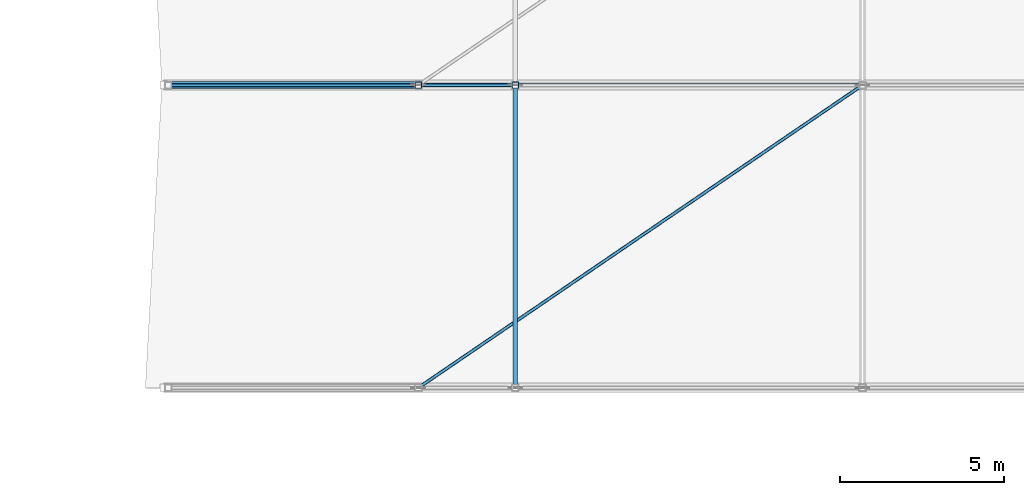
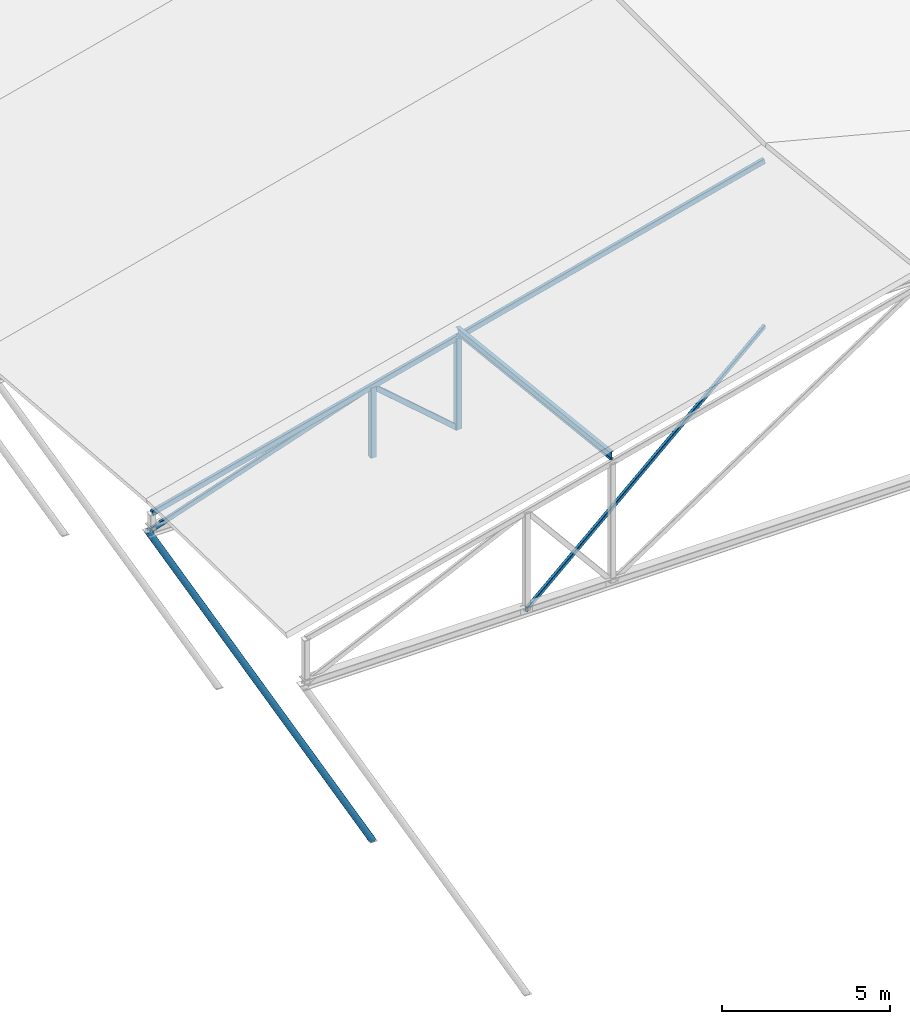
# One storey, part 11 of 56: 8 members.
"""IFC4 building model written with IfcOpenShell, lengths in metres."""

from ifc_helpers import new_model, si_unit, direction, frame, origin, origin_2d, place, context, subcontext, project, spatial, hollow_rectangle, hollow_circle, i_section, extrude, material, material_profile, profile_set, type_object, element, save


model = new_model("IFC4")

# Units and contexts
model_context = context("Model", 3, precision=1e-05, world=origin(), true_north=direction((0.0, 1.0)))
body_context = subcontext(model_context, "Body", "Model", "MODEL_VIEW")
ifc_project = project(units=[si_unit("LENGTHUNIT", "METRE"), si_unit("AREAUNIT", "SQUARE_METRE"), si_unit("VOLUMEUNIT", "CUBIC_METRE"), si_unit("PLANEANGLEUNIT", "RADIAN"), si_unit("MASSUNIT", "GRAM", prefix="KILO")], contexts=[model_context])

# Site, building, storey
site_placement = place(None, origin())
site = spatial("IfcSite", under=ifc_project, at=site_placement, CompositionType="ELEMENT")
building_placement = place(site_placement, origin())
building = spatial("IfcBuilding", under=site, at=building_placement, Name="Bozkorgan Art Gallery", CompositionType="ELEMENT")
storey_placement = place(building_placement, frame((0.0, 0.0, 24.0)))
storey = spatial("IfcBuildingStorey", under=building, at=storey_placement, Name="L05", CompositionType="ELEMENT", Elevation=24.0)

# Members
ifc_material = material(Name="Steel S355J2", Category="steel")
ifc_material_profile_1 = material_profile(ifc_material, hollow_circle(Radius=0.109619140625, WallThickness=0.010009765625, at=origin_2d()), Name="CHS 219.1x10")
ifc_profile_set_1 = profile_set([ifc_material_profile_1], Name="Steel S355J2")
member_type_1 = type_object("IfcMemberType", Name="MEMBER-ES-44", PredefinedType="BRACE", material=ifc_profile_set_1)
member_1_placement = place(storey_placement, frame((74.0, 56.800048828125, -13.800048828125), z_axis=(-0.484367254786, 0.0, 0.874864768116), x_axis=(0.0, -1.0, 0.0)))
element("IfcMember", 1, at=member_1_placement, inside=storey, type_object=member_type_1, Name="ROOF-V4-MAIN west swept-eave diagonal tree-strut 2", PredefinedType="BRACE", context=body_context, shape_type="SweptSolid", body=[
    extrude(hollow_circle(Radius=0.109619140625, WallThickness=0.010009765625, at=origin_2d()), origin(), (0.0, 0.0, 1.0), 15.9794921875),
])
ifc_material_profile_2 = material_profile(ifc_material, i_section(OverallWidth=0.135009765625, OverallDepth=0.27001953125, WebThickness=0.006591796875, FlangeThickness=0.01025390625, FilletRadius=0.014892578125, at=origin_2d()), Name="IPE 270")
ifc_profile_set_2 = profile_set([ifc_material_profile_2], Name="Steel S355J2")
member_type_2 = type_object("IfcMemberType", Name="MEMBER-PR-57", PredefinedType="PURLIN", material=ifc_profile_set_2)
member_2_placement = place(storey_placement, frame((76.949951171875, 47.60009765625, 4.74365234375), z_axis=(0.0, 0.994056223168, -0.108867925404), x_axis=(-1.0, 0.0, 0.0)))
element("IfcMember", 2, at=member_2_placement, inside=storey, type_object=member_type_2, Name="ROOF-V4-MAIN roof purlin 1W", PredefinedType="PURLIN", context=body_context, shape_type="SweptSolid", body=[
    extrude(i_section(OverallWidth=0.135009765625, OverallDepth=0.27001953125, WebThickness=0.006591796875, FlangeThickness=0.01025390625, FilletRadius=0.014892578125, at=origin_2d()), origin(), (0.0, 0.0, 1.0), 9.2548828125),
])
ifc_material_profile_3 = material_profile(ifc_material, hollow_rectangle(XDim=0.1201171875, YDim=0.199951171875, WallThickness=0.008056640625, InnerFilletRadius=0.011962890625, OuterFilletRadius=0.02001953125, at=origin_2d()), Name="RHS 200x120x8")
ifc_profile_set_3 = profile_set([ifc_material_profile_3], Name="Steel S355J2")
member_type_3 = type_object("IfcMemberType", Name="MEMBER-TC-48", PredefinedType="CHORD", material=ifc_profile_set_3)
member_3_placement = place(storey_placement, frame((66.39990234375, 56.800048828125, 0.772705078125), z_axis=(0.968148409779, 0.0, 0.250377028984), x_axis=(0.0, 1.0, 0.0)))
element("IfcMember", 3, at=member_3_placement, inside=storey, type_object=member_type_3, Name="ROOF-V4-MAIN roof truss 2 west top chord", PredefinedType="CHORD", context=body_context, shape_type="SweptSolid", body=[
    extrude(hollow_rectangle(XDim=0.1201171875, YDim=0.199951171875, WallThickness=0.008056640625, InnerFilletRadius=0.011962890625, OuterFilletRadius=0.02001953125, at=origin_2d()), origin(), (0.0, 0.0, 1.0), 21.794189453125),
])
ifc_material_profile_4 = material_profile(ifc_material, hollow_rectangle(XDim=0.199951171875, YDim=0.199951171875, WallThickness=0.010009765625, InnerFilletRadius=0.014892578125, OuterFilletRadius=0.02490234375, at=origin_2d()), Name="SHS 200x200x10")
ifc_profile_set_4 = profile_set([ifc_material_profile_4], Name="Steel S355J2")
member_type_4 = type_object("IfcMemberType", Name="MEMBER-TP-32", PredefinedType="POST", material=ifc_profile_set_4)
member_4_placement = place(storey_placement, frame((74.0, 56.800048828125, 0.179931640625), z_axis=(0.0, 0.0, 1.0), x_axis=(1.0, 0.0, 0.0)))
element("IfcMember", 4, at=member_4_placement, inside=storey, type_object=member_type_4, Name="ROOF-V4-MAIN roof truss 2 post 1", PredefinedType="POST", context=body_context, shape_type="SweptSolid", body=[
    extrude(hollow_rectangle(XDim=0.199951171875, YDim=0.199951171875, WallThickness=0.010009765625, InnerFilletRadius=0.014892578125, OuterFilletRadius=0.02490234375, at=origin_2d()), origin(), (0.0, 0.0, 1.0), 2.55810546875),
])
member_5_placement = place(storey_placement, frame((76.949951171875, 56.800048828125, 0.179931640625), z_axis=(0.0, 0.0, 1.0), x_axis=(1.0, 0.0, 0.0)))
element("IfcMember", 5, at=member_5_placement, inside=storey, type_object=member_type_4, Name="ROOF-V4-MAIN roof truss 2 post 2", PredefinedType="POST", context=body_context, shape_type="SweptSolid", body=[
    extrude(hollow_rectangle(XDim=0.199951171875, YDim=0.199951171875, WallThickness=0.010009765625, InnerFilletRadius=0.014892578125, OuterFilletRadius=0.02490234375, at=origin_2d()), origin(), (0.0, 0.0, 1.0), 3.321044921875),
])
ifc_material_profile_5 = material_profile(ifc_material, hollow_rectangle(XDim=0.10009765625, YDim=0.179931640625, WallThickness=0.008056640625, InnerFilletRadius=0.011962890625, OuterFilletRadius=0.02001953125, at=origin_2d()), Name="RHS 180x100x8")
ifc_profile_set_5 = profile_set([ifc_material_profile_5], Name="Steel S355J2")
member_type_5 = type_object("IfcMemberType", Name="MEMBER-TW-22", PredefinedType="BRACE", material=ifc_profile_set_5)
member_6_placement = place(storey_placement, frame((66.39990234375, 56.800048828125, 0.179931640625), z_axis=(0.947753705978, 0.0, 0.319002998112), x_axis=(0.0, 1.0, 0.0)))
element("IfcMember", 6, at=member_6_placement, inside=storey, type_object=member_type_5, Name="ROOF-V4-MAIN roof truss 2 diagonal 1", PredefinedType="BRACE", context=body_context, shape_type="SweptSolid", body=[
    extrude(hollow_rectangle(XDim=0.10009765625, YDim=0.179931640625, WallThickness=0.008056640625, InnerFilletRadius=0.011962890625, OuterFilletRadius=0.02001953125, at=origin_2d()), origin(), (0.0, 0.0, 1.0), 8.01904296875),
])
member_7_placement = place(storey_placement, frame((74.0, 56.800048828125, 2.738037109375), z_axis=(0.755501315133, 0.0, -0.655147130676), x_axis=(0.0, 1.0, 0.0)))
element("IfcMember", 7, at=member_7_placement, inside=storey, type_object=member_type_5, Name="ROOF-V4-MAIN roof truss 2 diagonal 2", PredefinedType="BRACE", context=body_context, shape_type="SweptSolid", body=[
    extrude(hollow_rectangle(XDim=0.10009765625, YDim=0.179931640625, WallThickness=0.008056640625, InnerFilletRadius=0.011962890625, OuterFilletRadius=0.02001953125, at=origin_2d()), origin(), (0.0, 0.0, 1.0), 3.904541015625),
])
ifc_material_profile_6 = material_profile(ifc_material, hollow_rectangle(XDim=0.10009765625, YDim=0.14990234375, WallThickness=0.008056640625, InnerFilletRadius=0.011962890625, OuterFilletRadius=0.02001953125, at=origin_2d()), Name="RHS 150x100x8")
ifc_profile_set_6 = profile_set([ifc_material_profile_6], Name="Steel S355J2")
member_type_6 = type_object("IfcMemberType", Name="MEMBER-WB-10", PredefinedType="BRACE", material=ifc_profile_set_6)
member_8_placement = place(storey_placement, frame((74.0, 47.60009765625, 0.179931640625), z_axis=(0.826358214582, 0.563144831454, 0.0), x_axis=(-0.563144831454, 0.826358214582, 0.0)))
element("IfcMember", 8, at=member_8_placement, inside=storey, type_object=member_type_6, Name="ROOF-V4-MAIN roof diaphragm wind brace 1", PredefinedType="BRACE", context=body_context, shape_type="SweptSolid", body=[
    extrude(hollow_rectangle(XDim=0.10009765625, YDim=0.14990234375, WallThickness=0.008056640625, InnerFilletRadius=0.011962890625, OuterFilletRadius=0.02001953125, at=origin_2d()), origin(), (0.0, 0.0, 1.0), 16.336669921875),
])

save(model, "model.ifc")
